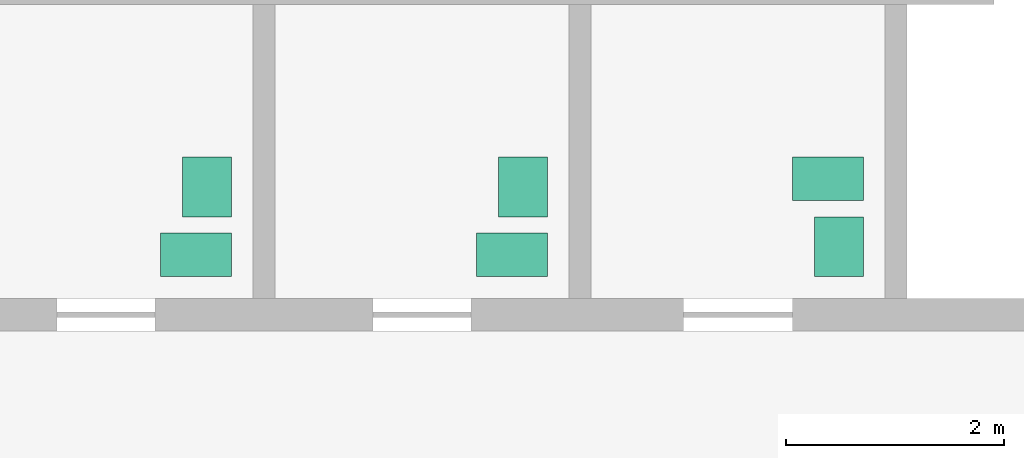
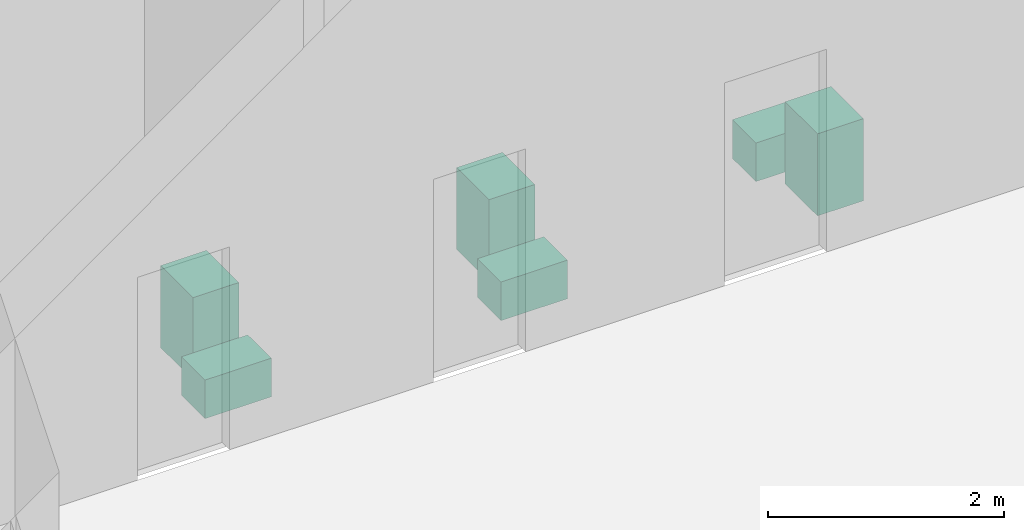
# One storey, part 11 of 11: 6 sanitary terminals.
"""IFC4 building model written with IfcOpenShell, lengths in metres."""

from ifc_helpers import new_model, si_unit, direction, frame, origin, origin_2d, place, context, subcontext, project, spatial, rectangle, extrude, material, type_object, element, save


model = new_model("IFC4")

# Units and contexts
model_context = context("Model", 3, precision=1e-05, world=origin(), true_north=direction((0.0, 1.0)))
body_context = subcontext(model_context, "Body", "Model", "MODEL_VIEW")
ifc_project = project(units=[si_unit("LENGTHUNIT", "METRE"), si_unit("AREAUNIT", "SQUARE_METRE"), si_unit("VOLUMEUNIT", "CUBIC_METRE"), si_unit("PLANEANGLEUNIT", "RADIAN"), si_unit("MASSUNIT", "GRAM", prefix="KILO")], contexts=[model_context])

# Site, building, storey
site_placement = place(None, origin())
site = spatial("IfcSite", under=ifc_project, at=site_placement, CompositionType="ELEMENT")
building_placement = place(site_placement, origin())
building = spatial("IfcBuilding", under=site, at=building_placement, Name="Mashrafa Tower", CompositionType="ELEMENT")
storey_placement = place(building_placement, frame((0.0, 0.0, 311.60009765625)))
storey = spatial("IfcBuildingStorey", under=building, at=storey_placement, Name="L77", CompositionType="ELEMENT", Elevation=311.60009765625)

# Sanitary terminals
ifc_material_1 = material(Name="Vitreous china")
sanitary_terminal_type_1 = type_object("IfcSanitaryTerminalType", Name="Toilet pan 400 x 650", PredefinedType="TOILETPAN", material=ifc_material_1)
for number, where, z_axis, x_axis, name in (
    (1, (-7.875, 3.550048828125, 0.0), (0.0, 0.0, 1.0), (0.0, 1.0, 0.0), "Toilet pan WC Male L77"),
    (2, (-4.97509765625, 3.550048828125, 0.0), (0.0, 0.0, 1.0), (0.0, 1.0, 0.0), "Toilet pan WC Female L77"),
    (3, (-2.074951171875, 4.25, 0.0), (0.0, 0.0, 1.0), (0.0, 1.0, 0.0), "Toilet pan Accessible WC L77"),
):
    element("IfcSanitaryTerminal", number, at=place(storey_placement, frame(where, z_axis=z_axis, x_axis=x_axis)), inside=storey, type_object=sanitary_terminal_type_1, Name=name, PredefinedType="TOILETPAN", context=body_context, shape_type="SweptSolid", body=[
        extrude(rectangle(XDim=0.39990234375, YDim=0.64990234375, at=origin_2d()), origin(), (0.0, 0.0, 1.0), 0.39990234375),
    ])
ifc_material_2 = material(Name="Vitreous china")
sanitary_terminal_type_2 = type_object("IfcSanitaryTerminalType", Name="Wash basin 550 x 450", PredefinedType="WASHHANDBASIN", material=ifc_material_2)
for number, where, z_axis, x_axis, name in (
    (4, (-7.77490234375, 4.175048828125, -0.000244140625), (0.0, 0.0, 1.0), (0.0, 1.0, 0.0), "Wash basin WC Male L77"),
    (5, (-4.875, 4.175048828125, -0.000244140625), (0.0, 0.0, 1.0), (0.0, 1.0, 0.0), "Wash basin WC Female L77"),
    (6, (-1.97509765625, 3.625, -0.000244140625), (0.0, 0.0, 1.0), (0.0, 1.0, 0.0), "Wash basin Accessible WC L77"),
):
    element("IfcSanitaryTerminal", number, at=place(storey_placement, frame(where, z_axis=z_axis, x_axis=x_axis)), inside=storey, type_object=sanitary_terminal_type_2, Name=name, PredefinedType="WASHHANDBASIN", context=body_context, shape_type="SweptSolid", body=[
        extrude(rectangle(XDim=0.550048828125, YDim=0.449951171875, at=origin_2d()), origin(), (0.0, 0.0, 1.0), 0.85009765625),
    ])

save(model, "model.ifc")
